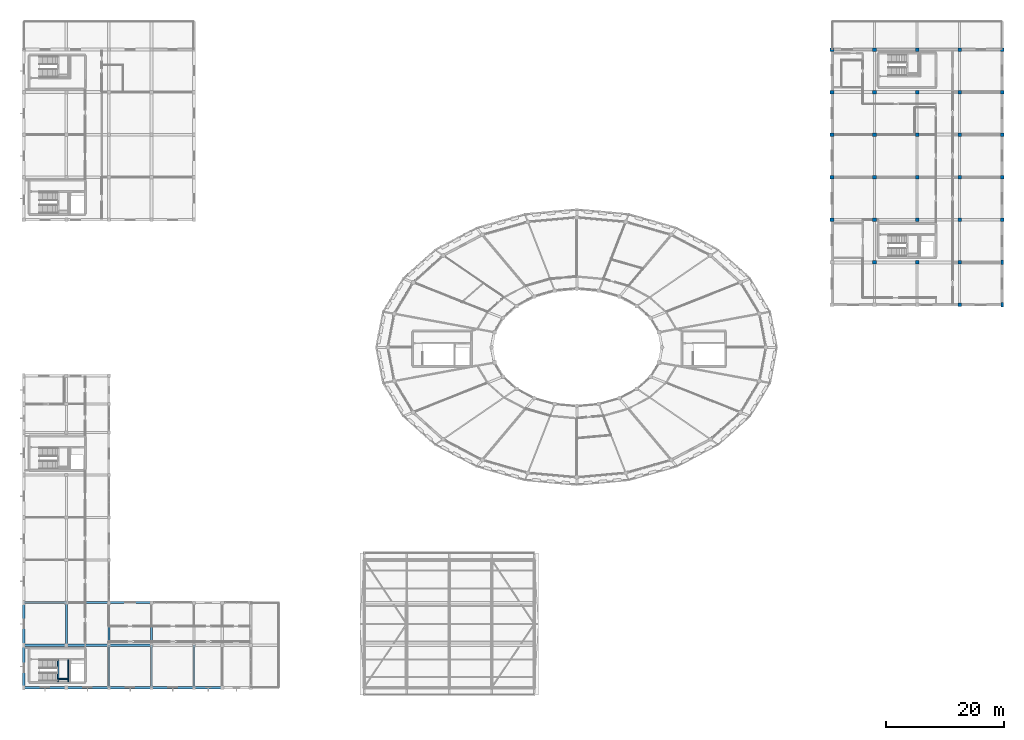
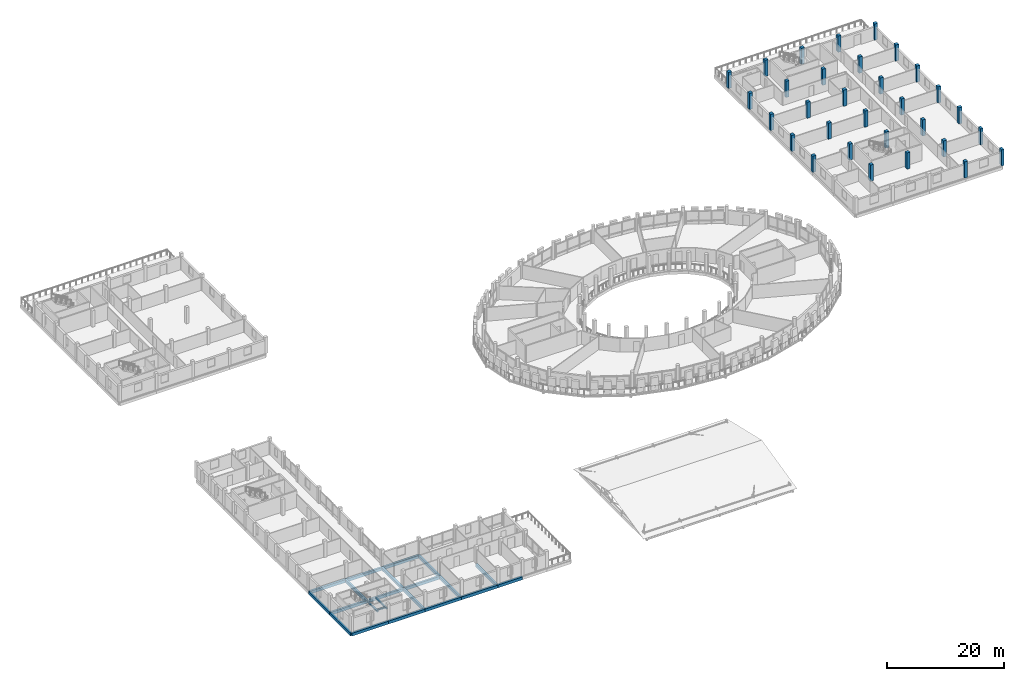
# One storey, part 2 of 84: 31 columns, 22 beams.
"""IFC4 building model written with IfcOpenShell, lengths in metres."""

from ifc_helpers import new_model, si_unit, direction, frame, origin, origin_2d, place, context, subcontext, project, spatial, rectangle, extrude, material, material_profile, profile_set, type_object, element, save


model = new_model("IFC4")

# Units and contexts
model_context = context("Model", 3, precision=1e-05, world=origin(), true_north=direction((0.0, 1.0)))
body_context = subcontext(model_context, "Body", "Model", "MODEL_VIEW")
ifc_project = project(units=[si_unit("LENGTHUNIT", "METRE"), si_unit("AREAUNIT", "SQUARE_METRE"), si_unit("VOLUMEUNIT", "CUBIC_METRE"), si_unit("PLANEANGLEUNIT", "RADIAN"), si_unit("MASSUNIT", "GRAM", prefix="KILO")], contexts=[model_context])

# Site, building, storey
site_placement = place(None, origin())
site = spatial("IfcSite", under=ifc_project, at=site_placement, CompositionType="ELEMENT")
building_placement = place(site_placement, origin())
building = spatial("IfcBuilding", under=site, at=building_placement, Name="Zornivar Specialist Clinic", CompositionType="ELEMENT")
storey_placement = place(building_placement, frame((0.0, 0.0, 12.300048828125)))
storey = spatial("IfcBuildingStorey", under=building, at=storey_placement, Name="L03", CompositionType="ELEMENT", Elevation=12.300048828125)

# Columns
ifc_material_1 = material(Name="Concrete C35/45", Category="concrete")
ifc_material_profile_1 = material_profile(ifc_material_1, rectangle(XDim=0.449951171875, YDim=0.75, at=origin_2d()), Name="RC 450x750")
ifc_profile_set_1 = profile_set([ifc_material_profile_1], Name="Concrete C35/45")
column_type_1 = type_object("IfcColumnType", Name="COL-RC-450x750", PredefinedType="PILASTER", material=ifc_profile_set_1)
for number, where, z_axis, x_axis, name in (
    (1, (165.60009765625, 64.800048828125, 0.0), (0.0, 0.0, 1.0), (1.0, 0.0, 0.0), "col:V6:L03:1656_648"),
    (2, (165.60009765625, 72.0, 0.0), (0.0, 0.0, 1.0), (1.0, 0.0, 0.0), "col:V6:L03:1656_720"),
):
    element("IfcColumn", number, at=place(storey_placement, frame(where, z_axis=z_axis, x_axis=x_axis)), inside=storey, type_object=column_type_1, Name=name, PredefinedType="PILASTER", context=body_context, shape_type="SweptSolid", body=[
        extrude(rectangle(XDim=0.449951171875, YDim=0.75, at=origin_2d()), origin(), (0.0, 0.0, 1.0), 3.3798828125),
    ])
ifc_material_2 = material(Name="Concrete C35/45", Category="concrete")
ifc_material_profile_2 = material_profile(ifc_material_2, rectangle(XDim=0.6201171875, YDim=0.6201171875, at=origin_2d()), Name="RC 620x620")
ifc_profile_set_2 = profile_set([ifc_material_profile_2], Name="Concrete C35/45")
column_type_2 = type_object("IfcColumnType", Name="COL-RC-620", PredefinedType="COLUMN", material=ifc_profile_set_2)
for number, where, z_axis, x_axis, name in (
    (3, (136.800048828125, 79.199951171875, 0.0), (0.0, 0.0, 1.0), (1.0, 0.0, 0.0), "col:V6:L03:1368_792"),
    (4, (136.800048828125, 86.39990234375, 0.0), (0.0, 0.0, 1.0), (1.0, 0.0, 0.0), "col:V6:L03:1368_864"),
    (5, (136.800048828125, 93.60009765625, 0.0), (0.0, 0.0, 1.0), (1.0, 0.0, 0.0), "col:V6:L03:1368_936"),
    (6, (136.800048828125, 100.800048828125, 0.0), (0.0, 0.0, 1.0), (1.0, 0.0, 0.0), "col:V6:L03:1368_1008"),
    (7, (136.800048828125, 108.0, 0.0), (0.0, 0.0, 1.0), (1.0, 0.0, 0.0), "col:V6:L03:1368_1080"),
    (8, (144.0, 72.0, 0.0), (0.0, 0.0, 1.0), (1.0, 0.0, 0.0), "col:V6:L03:1440_720"),
    (9, (144.0, 79.199951171875, 0.0), (0.0, 0.0, 1.0), (1.0, 0.0, 0.0), "col:V6:L03:1440_792"),
    (10, (144.0, 86.39990234375, 0.0), (0.0, 0.0, 1.0), (1.0, 0.0, 0.0), "col:V6:L03:1440_864"),
    (11, (144.0, 93.60009765625, 0.0), (0.0, 0.0, 1.0), (1.0, 0.0, 0.0), "col:V6:L03:1440_936"),
    (12, (144.0, 100.800048828125, 0.0), (0.0, 0.0, 1.0), (1.0, 0.0, 0.0), "col:V6:L03:1440_1008"),
    (13, (144.0, 108.0, 0.0), (0.0, 0.0, 1.0), (1.0, 0.0, 0.0), "col:V6:L03:1440_1080"),
    (14, (151.199951171875, 72.0, 0.0), (0.0, 0.0, 1.0), (1.0, 0.0, 0.0), "col:V6:L03:1512_720"),
    (15, (151.199951171875, 79.199951171875, 0.0), (0.0, 0.0, 1.0), (1.0, 0.0, 0.0), "col:V6:L03:1512_792"),
    (16, (151.199951171875, 86.39990234375, 0.0), (0.0, 0.0, 1.0), (1.0, 0.0, 0.0), "col:V6:L03:1512_864"),
    (17, (151.199951171875, 93.60009765625, 0.0), (0.0, 0.0, 1.0), (1.0, 0.0, 0.0), "col:V6:L03:1512_936"),
    (18, (151.199951171875, 100.800048828125, 0.0), (0.0, 0.0, 1.0), (1.0, 0.0, 0.0), "col:V6:L03:1512_1008"),
    (19, (151.199951171875, 108.0, 0.0), (0.0, 0.0, 1.0), (1.0, 0.0, 0.0), "col:V6:L03:1512_1080"),
    (20, (158.39990234375, 64.800048828125, 0.0), (0.0, 0.0, 1.0), (1.0, 0.0, 0.0), "col:V6:L03:1584_648"),
    (21, (158.39990234375, 72.0, 0.0), (0.0, 0.0, 1.0), (1.0, 0.0, 0.0), "col:V6:L03:1584_720"),
    (22, (158.39990234375, 79.199951171875, 0.0), (0.0, 0.0, 1.0), (1.0, 0.0, 0.0), "col:V6:L03:1584_792"),
    (23, (158.39990234375, 86.39990234375, 0.0), (0.0, 0.0, 1.0), (1.0, 0.0, 0.0), "col:V6:L03:1584_864"),
    (24, (158.39990234375, 93.60009765625, 0.0), (0.0, 0.0, 1.0), (1.0, 0.0, 0.0), "col:V6:L03:1584_936"),
    (25, (158.39990234375, 100.800048828125, 0.0), (0.0, 0.0, 1.0), (1.0, 0.0, 0.0), "col:V6:L03:1584_1008"),
    (26, (158.39990234375, 108.0, 0.0), (0.0, 0.0, 1.0), (1.0, 0.0, 0.0), "col:V6:L03:1584_1080"),
    (27, (165.60009765625, 79.199951171875, 0.0), (0.0, 0.0, 1.0), (1.0, 0.0, 0.0), "col:V6:L03:1656_792"),
    (28, (165.60009765625, 86.39990234375, 0.0), (0.0, 0.0, 1.0), (1.0, 0.0, 0.0), "col:V6:L03:1656_864"),
    (29, (165.60009765625, 93.60009765625, 0.0), (0.0, 0.0, 1.0), (1.0, 0.0, 0.0), "col:V6:L03:1656_936"),
    (30, (165.60009765625, 100.800048828125, 0.0), (0.0, 0.0, 1.0), (1.0, 0.0, 0.0), "col:V6:L03:1656_1008"),
    (31, (165.60009765625, 108.0, 0.0), (0.0, 0.0, 1.0), (1.0, 0.0, 0.0), "col:V6:L03:1656_1080"),
):
    element("IfcColumn", number, at=place(storey_placement, frame(where, z_axis=z_axis, x_axis=x_axis)), inside=storey, type_object=column_type_2, Name=name, PredefinedType="COLUMN", context=body_context, shape_type="SweptSolid", body=[
        extrude(rectangle(XDim=0.6201171875, YDim=0.6201171875, at=origin_2d()), origin(), (0.0, 0.0, 1.0), 3.3798828125),
    ])

# Beams
ifc_material_3 = material(Name="Concrete C30/37", Category="concrete")
ifc_material_profile_3 = material_profile(ifc_material_3, rectangle(XDim=0.25, YDim=0.300048828125, at=origin_2d()), Name="RC 250x300")
ifc_profile_set_3 = profile_set([ifc_material_profile_3], Name="Concrete C30/37")
beam_type_1 = type_object("IfcBeamType", Name="BM-LAND-250x300", PredefinedType="BEAM", material=ifc_profile_set_3)
for number, where, z_axis, x_axis, name in (
    (32, (5.800048828125, 1.030029296875, 1.52001953125), (0.0, 1.0, 0.0), (-1.0, 0.0, 0.0), "bm:stair:C1:L03:lW"),
    (33, (7.56005859375, 1.030029296875, 1.52001953125), (0.0, 1.0, 0.0), (-1.0, 0.0, 0.0), "bm:stair:C1:L03:lE"),
):
    element("IfcBeam", number, at=place(storey_placement, frame(where, z_axis=z_axis, x_axis=x_axis)), inside=storey, type_object=beam_type_1, Name=name, PredefinedType="BEAM", context=body_context, shape_type="SweptSolid", body=[
        extrude(rectangle(XDim=0.25, YDim=0.300048828125, at=origin_2d()), origin(), (0.0, 0.0, 1.0), 3.669921875),
    ])
beam_1_placement = place(storey_placement, frame((5.93505859375, 1.47998046875, 1.52001953125), z_axis=(1.0, 0.0, 0.0), x_axis=(0.0, 1.0, 0.0)))
element("IfcBeam", 34, at=beam_1_placement, inside=storey, type_object=beam_type_1, Name="bm:stair:C1:L03:lS", PredefinedType="BEAM", context=body_context, shape_type="SweptSolid", body=[
    extrude(rectangle(XDim=0.25, YDim=0.300048828125, at=origin_2d()), origin(), (0.0, 0.0, 1.0), 1.489990234375),
])
ifc_material_4 = material(Name="Concrete C30/37", Category="concrete")
ifc_material_profile_4 = material_profile(ifc_material_4, rectangle(XDim=0.3798828125, YDim=0.60009765625, at=origin_2d()), Name="RC 380x600")
ifc_profile_set_4 = profile_set([ifc_material_profile_4], Name="Concrete C30/37")
beam_type_2 = type_object("IfcBeamType", Name="BM-RC-380x600", PredefinedType="BEAM", material=ifc_profile_set_4)
for number, where, z_axis, x_axis, name in (
    (35, (0.0, 7.199951171875, -0.580078125), (1.0, 0.0, 0.0), (0.0, 1.0, 0.0), "bm:V2:L03:x:72:0"),
    (36, (7.199951171875, 7.199951171875, -0.580078125), (1.0, 0.0, 0.0), (0.0, 1.0, 0.0), "bm:V2:L03:x:72:1"),
):
    element("IfcBeam", number, at=place(storey_placement, frame(where, z_axis=z_axis, x_axis=x_axis)), inside=storey, type_object=beam_type_2, Name=name, PredefinedType="BEAM", context=body_context, shape_type="SweptSolid", body=[
        extrude(rectangle(XDim=0.3798828125, YDim=0.60009765625, at=origin_2d()), origin(), (0.0, 0.0, 1.0), 7.199951171875),
    ])
beam_2_placement = place(storey_placement, frame((14.39990234375, 7.199951171875, -0.580078125), z_axis=(1.0, 0.0, 0.0), x_axis=(0.0, 1.0, 0.0)))
element("IfcBeam", 37, at=beam_2_placement, inside=storey, type_object=beam_type_2, Name="bm:V2:L03:x:72:2", PredefinedType="BEAM", context=body_context, shape_type="SweptSolid", body=[
    extrude(rectangle(XDim=0.3798828125, YDim=0.60009765625, at=origin_2d()), origin(), (0.0, 0.0, 1.0), 7.2001953125),
])
for number, where, z_axis, x_axis, name in (
    (38, (0.0, 14.39990234375, -0.580078125), (1.0, 0.0, 0.0), (0.0, 1.0, 0.0), "bm:V2:L03:x:144:0"),
    (39, (7.199951171875, 14.39990234375, -0.580078125), (1.0, 0.0, 0.0), (0.0, 1.0, 0.0), "bm:V2:L03:x:144:1"),
):
    element("IfcBeam", number, at=place(storey_placement, frame(where, z_axis=z_axis, x_axis=x_axis)), inside=storey, type_object=beam_type_2, Name=name, PredefinedType="BEAM", context=body_context, shape_type="SweptSolid", body=[
        extrude(rectangle(XDim=0.3798828125, YDim=0.60009765625, at=origin_2d()), origin(), (0.0, 0.0, 1.0), 7.199951171875),
    ])
beam_3_placement = place(storey_placement, frame((14.39990234375, 14.39990234375, -0.580078125), z_axis=(1.0, 0.0, 0.0), x_axis=(0.0, 1.0, 0.0)))
element("IfcBeam", 40, at=beam_3_placement, inside=storey, type_object=beam_type_2, Name="bm:V2:L03:x:144:2", PredefinedType="BEAM", context=body_context, shape_type="SweptSolid", body=[
    extrude(rectangle(XDim=0.3798828125, YDim=0.60009765625, at=origin_2d()), origin(), (0.0, 0.0, 1.0), 7.2001953125),
])
for number, where, z_axis, x_axis, name in (
    (41, (7.199951171875, 7.199951171875, -0.580078125), (0.0, 1.0, 0.0), (-1.0, 0.0, 0.0), "bm:V2:L03:y:72:1"),
    (42, (14.39990234375, 0.0, -0.580078125), (0.0, 1.0, 0.0), (-1.0, 0.0, 0.0), "bm:V2:L03:y:144:0"),
    (43, (14.39990234375, 7.199951171875, -0.580078125), (0.0, 1.0, 0.0), (-1.0, 0.0, 0.0), "bm:V2:L03:y:144:1"),
    (44, (21.60009765625, 0.0, -0.580078125), (0.0, 1.0, 0.0), (-1.0, 0.0, 0.0), "bm:V2:L03:y:216:0"),
    (45, (21.60009765625, 7.199951171875, -0.580078125), (0.0, 1.0, 0.0), (-1.0, 0.0, 0.0), "bm:V2:L03:y:216:1"),
    (46, (28.800048828125, 0.0, -0.580078125), (0.0, 1.0, 0.0), (-1.0, 0.0, 0.0), "bm:V2:L03:y:288:0"),
):
    element("IfcBeam", number, at=place(storey_placement, frame(where, z_axis=z_axis, x_axis=x_axis)), inside=storey, type_object=beam_type_2, Name=name, PredefinedType="BEAM", context=body_context, shape_type="SweptSolid", body=[
        extrude(rectangle(XDim=0.3798828125, YDim=0.60009765625, at=origin_2d()), origin(), (0.0, 0.0, 1.0), 7.199951171875),
    ])
ifc_material_5 = material(Name="Concrete C30/37", Category="concrete")
ifc_material_profile_5 = material_profile(ifc_material_5, rectangle(XDim=0.389892578125, YDim=0.60009765625, at=origin_2d()), Name="RC 390x600")
ifc_profile_set_5 = profile_set([ifc_material_profile_5], Name="Concrete C30/37")
beam_type_3 = type_object("IfcBeamType", Name="BM-RC-SPANDREL-390x600", PredefinedType="SPANDREL", material=ifc_profile_set_5)
for number, where, z_axis, x_axis, name in (
    (47, (0.0, 0.0, -0.580078125), (1.0, 0.0, 0.0), (0.0, 1.0, 0.0), "bm:V2:L03:x:0:0"),
    (48, (7.199951171875, 0.0, -0.580078125), (1.0, 0.0, 0.0), (0.0, 1.0, 0.0), "bm:V2:L03:x:0:1"),
):
    element("IfcBeam", number, at=place(storey_placement, frame(where, z_axis=z_axis, x_axis=x_axis)), inside=storey, type_object=beam_type_3, Name=name, PredefinedType="SPANDREL", context=body_context, shape_type="SweptSolid", body=[
        extrude(rectangle(XDim=0.389892578125, YDim=0.60009765625, at=origin_2d()), origin(), (0.0, 0.0, 1.0), 7.199951171875),
    ])
beam_4_placement = place(storey_placement, frame((14.39990234375, 0.0, -0.580078125), z_axis=(1.0, 0.0, 0.0), x_axis=(0.0, 1.0, 0.0)))
element("IfcBeam", 49, at=beam_4_placement, inside=storey, type_object=beam_type_3, Name="bm:V2:L03:x:0:2", PredefinedType="SPANDREL", context=body_context, shape_type="SweptSolid", body=[
    extrude(rectangle(XDim=0.389892578125, YDim=0.60009765625, at=origin_2d()), origin(), (0.0, 0.0, 1.0), 7.2001953125),
])
beam_5_placement = place(storey_placement, frame((21.60009765625, 0.0, -0.580078125), z_axis=(1.0, 0.0, 0.0), x_axis=(0.0, 1.0, 0.0)))
element("IfcBeam", 50, at=beam_5_placement, inside=storey, type_object=beam_type_3, Name="bm:V2:L03:x:0:3", PredefinedType="SPANDREL", context=body_context, shape_type="SweptSolid", body=[
    extrude(rectangle(XDim=0.389892578125, YDim=0.60009765625, at=origin_2d()), origin(), (0.0, 0.0, 1.0), 7.199951171875),
])
beam_6_placement = place(storey_placement, frame((28.800048828125, 0.0, -0.580078125), z_axis=(1.0, 0.0, 0.0), x_axis=(0.0, 1.0, 0.0)))
element("IfcBeam", 51, at=beam_6_placement, inside=storey, type_object=beam_type_3, Name="bm:V2:L03:x:0:4", PredefinedType="SPANDREL", context=body_context, shape_type="SweptSolid", body=[
    extrude(rectangle(XDim=0.389892578125, YDim=0.60009765625, at=origin_2d()), origin(), (0.0, 0.0, 1.0), 4.800048828125),
])
for number, where, z_axis, x_axis, name in (
    (52, (0.0, 0.0, -0.580078125), (0.0, 1.0, 0.0), (-1.0, 0.0, 0.0), "bm:V2:L03:y:0:0"),
    (53, (0.0, 7.199951171875, -0.580078125), (0.0, 1.0, 0.0), (-1.0, 0.0, 0.0), "bm:V2:L03:y:0:1"),
):
    element("IfcBeam", number, at=place(storey_placement, frame(where, z_axis=z_axis, x_axis=x_axis)), inside=storey, type_object=beam_type_3, Name=name, PredefinedType="SPANDREL", context=body_context, shape_type="SweptSolid", body=[
        extrude(rectangle(XDim=0.389892578125, YDim=0.60009765625, at=origin_2d()), origin(), (0.0, 0.0, 1.0), 7.199951171875),
    ])

save(model, "model.ifc")
